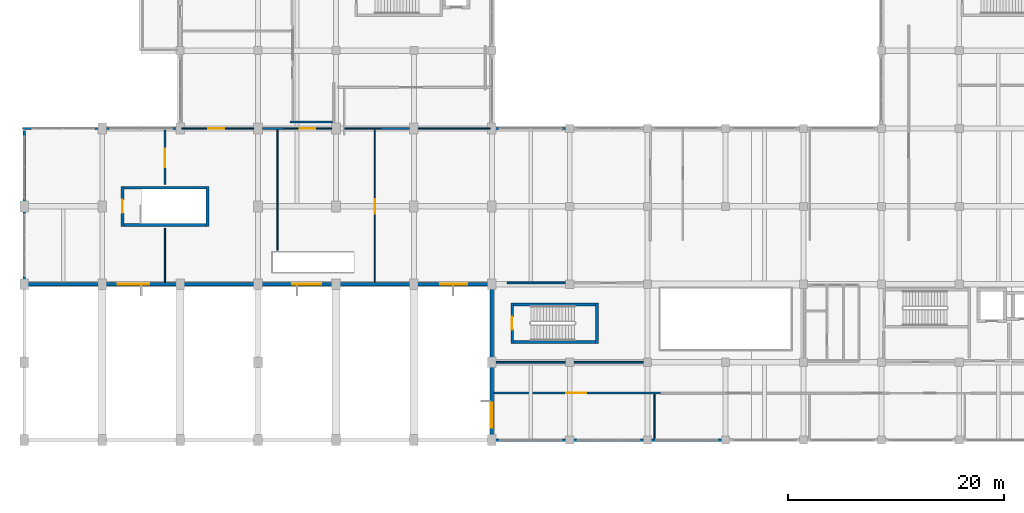
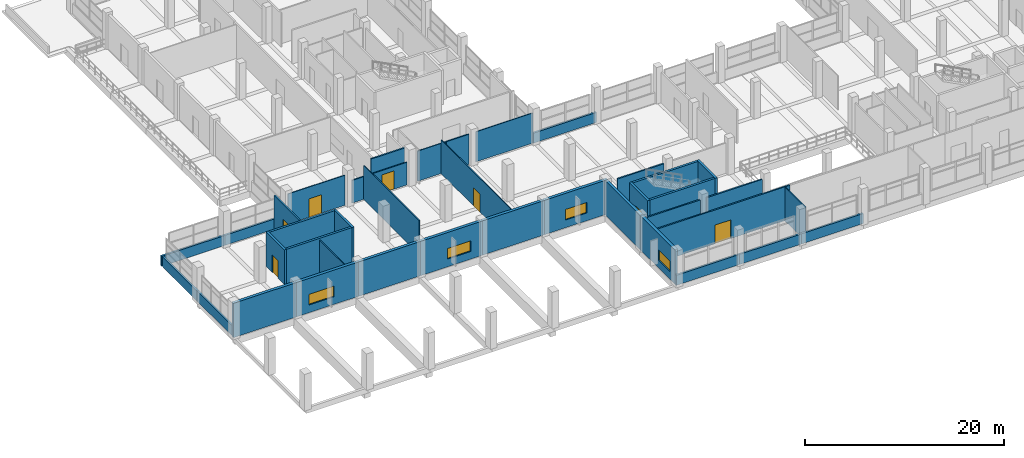
# One storey, part 126 of 141: 40 walls, 7 doors, 4 windows, 11 openings.
"""IFC4 building model written with IfcOpenShell, lengths in metres."""

from ifc_helpers import new_model, si_unit, direction, frame, frame_2d, origin, place, context, subcontext, project, spatial, rectangle, extrude, material, layer, layer_set, type_object, element, fill, save


model = new_model("IFC4")

# Units and contexts
model_context = context("Model", 3, precision=1e-05, world=origin(), true_north=direction((0.0, 1.0)))
body_context = subcontext(model_context, "Body", "Model", "MODEL_VIEW")
ifc_project = project(units=[si_unit("LENGTHUNIT", "METRE"), si_unit("AREAUNIT", "SQUARE_METRE"), si_unit("VOLUMEUNIT", "CUBIC_METRE"), si_unit("PLANEANGLEUNIT", "RADIAN"), si_unit("MASSUNIT", "GRAM", prefix="KILO")], contexts=[model_context])

# Site, building, storey
site_placement = place(None, origin())
site = spatial("IfcSite", under=ifc_project, at=site_placement, CompositionType="ELEMENT")
building_placement = place(site_placement, origin())
building = spatial("IfcBuilding", under=site, at=building_placement, Name="Seraya Terrace Polytechnic", CompositionType="ELEMENT")
storey_placement = place(building_placement, frame((0.0, 0.0, 14.39990234375)))
storey = spatial("IfcBuildingStorey", under=building, at=storey_placement, Name="L03", CompositionType="ELEMENT", Elevation=14.39990234375)

# Walls
ifc_material_1 = material(Name="Precast concrete C40/50", Category="concrete")
ifc_layer_1 = layer(ifc_material_1, 0.219970703125, Name="EW-05")
ifc_layer_set_1 = layer_set([ifc_layer_1], Name="Precast concrete C40/50")
wall_type_1 = type_object("IfcWallType", Name="EW-05", PredefinedType="SOLIDWALL", material=ifc_layer_set_1)
wall_1_placement = place(storey_placement, frame((64.800048828125, 0.0, 0.0), z_axis=(0.0, 0.0, 1.0), x_axis=(-1.0, 0.0, 0.0)))
element("IfcWall", 1, at=wall_1_placement, inside=storey, type_object=wall_type_1, Name="Precast spandrel wall L03", PredefinedType="SOLIDWALL", context=body_context, shape_type="SweptSolid", body=[
    extrude(rectangle(XDim=7.199951171875, YDim=0.219970703125, at=frame_2d((3.60009765625, 0.0))), origin(), (0.0, 0.0, 1.0), 1.239990234375),
])
wall_2_placement = place(storey_placement, frame((57.60009765625, 0.0, 0.0), z_axis=(0.0, 0.0, 1.0), x_axis=(-1.0, 0.0, 0.0)))
element("IfcWall", 2, at=wall_2_placement, inside=storey, type_object=wall_type_1, Name="Precast spandrel wall L03", PredefinedType="SOLIDWALL", context=body_context, shape_type="SweptSolid", body=[
    extrude(rectangle(XDim=7.2001953125, YDim=0.219970703125, at=frame_2d((3.60009765625, 0.0))), origin(), (0.0, 0.0, 1.0), 1.239990234375),
])
wall_3_placement = place(storey_placement, frame((50.39990234375, 0.0, 0.0), z_axis=(0.0, 0.0, 1.0), x_axis=(-1.0, 0.0, 0.0)))
element("IfcWall", 3, at=wall_3_placement, inside=storey, type_object=wall_type_1, Name="Precast spandrel wall L03", PredefinedType="SOLIDWALL", context=body_context, shape_type="SweptSolid", body=[
    extrude(rectangle(XDim=7.349853515625, YDim=0.219970703125, at=frame_2d((3.6748046875, 0.0))), origin(), (0.0, 0.0, 1.0), 1.239990234375),
])
wall_4_placement = place(storey_placement, frame((0.0, 14.56591796875, 0.0), z_axis=(0.0, 0.0, 1.0), x_axis=(0.0, 1.0, 0.0)))
element("IfcWall", 4, at=wall_4_placement, inside=storey, type_object=wall_type_1, Name="Precast spandrel wall L03", PredefinedType="SOLIDWALL", context=body_context, shape_type="SweptSolid", body=[
    extrude(rectangle(XDim=7.0341796875, YDim=0.219970703125, at=frame_2d((3.51708984375, 0.0))), origin(), (0.0, 0.0, 1.0), 1.239990234375),
])
wall_5_placement = place(storey_placement, frame((0.0, 21.60009765625, 0.0), z_axis=(0.0, 0.0, 1.0), x_axis=(0.0, 1.0, 0.0)))
element("IfcWall", 5, at=wall_5_placement, inside=storey, type_object=wall_type_1, Name="Precast spandrel wall L03", PredefinedType="SOLIDWALL", context=body_context, shape_type="SweptSolid", body=[
    extrude(rectangle(XDim=7.033935546875, YDim=0.219970703125, at=frame_2d((3.51708984375, 0.0))), origin(), (0.0, 0.0, 1.0), 1.239990234375),
])
wall_6_placement = place(storey_placement, frame((-0.14990234375, 28.800048828125, 0.0), z_axis=(0.0, 0.0, 1.0), x_axis=(1.0, 0.0, 0.0)))
element("IfcWall", 6, at=wall_6_placement, inside=storey, type_object=wall_type_1, Name="Precast spandrel wall L03", PredefinedType="SOLIDWALL", context=body_context, shape_type="SweptSolid", body=[
    extrude(rectangle(XDim=7.349853515625, YDim=0.219970703125, at=frame_2d((3.6748046875, 0.0))), origin(), (0.0, 0.0, 1.0), 1.239990234375),
])
wall_7_placement = place(storey_placement, frame((7.199951171875, 28.800048828125, 0.0), z_axis=(0.0, 0.0, 1.0), x_axis=(1.0, 0.0, 0.0)))
element("IfcWall", 7, at=wall_7_placement, inside=storey, type_object=wall_type_1, Name="Precast spandrel wall L03", PredefinedType="SOLIDWALL", context=body_context, shape_type="SweptSolid", body=[
    extrude(rectangle(XDim=7.35009765625, YDim=0.219970703125, at=frame_2d((3.675048828125, 0.0))), origin(), (0.0, 0.0, 1.0), 1.239990234375),
])
wall_8_placement = place(storey_placement, frame((43.050048828125, 28.800048828125, 0.0), z_axis=(0.0, 0.0, 1.0), x_axis=(1.0, 0.0, 0.0)))
element("IfcWall", 8, at=wall_8_placement, inside=storey, type_object=wall_type_1, Name="Precast spandrel wall L03", PredefinedType="SOLIDWALL", context=body_context, shape_type="SweptSolid", body=[
    extrude(rectangle(XDim=7.349853515625, YDim=0.219970703125, at=frame_2d((3.6748046875, 0.0))), origin(), (0.0, 0.0, 1.0), 1.239990234375),
])

# Wall, opening, window
ifc_material_2 = material(Name="Concrete C40/50", Category="concrete")
ifc_layer_2 = layer(ifc_material_2, 0.330078125, Name="EW-06")
ifc_layer_set_2 = layer_set([ifc_layer_2], Name="Concrete C40/50")
wall_type_2 = type_object("IfcWallType", Name="EW-06", PredefinedType="SOLIDWALL", material=ifc_layer_set_2)
wall_9_placement = place(storey_placement, frame((43.199951171875, 0.166015625, 0.0), z_axis=(0.0, 0.0, 1.0), x_axis=(0.0, 1.0, 0.0)))
wall_9 = element("IfcWall", 9, at=wall_9_placement, inside=storey, type_object=wall_type_2, Name="Exterior structural wall EW-06 L03", PredefinedType="SOLIDWALL", context=body_context, shape_type="SweptSolid", body=[
    extrude(rectangle(XDim=7.033935546875, YDim=0.330078125, at=frame_2d((3.51708984375, 0.0))), origin(), (0.0, 0.0, 1.0), 4.22021484375),
])
opening_1_placement = place(wall_9_placement, frame((0.98388671875, 0.0, 0.949951171875)))
opening_1 = element("IfcOpeningElement", 10, at=opening_1_placement, cuts=wall_9, Name="Opening WN-09", PredefinedType="OPENING", context=body_context, shape_type="SweptSolid", body=[
    extrude(rectangle(XDim=2.300048828125, YDim=1.300048828125, at=frame_2d((1.14990234375, 0.64990234375))), frame((0.0, 0.177001953125, 0.0), z_axis=(0.0, -1.0, 0.0), x_axis=(1.0, 0.0, 0.0)), (0.0, 0.0, 1.0), 0.35400390625),
])
ifc_material_3 = material(Name="Laminated solar-control Low-E double glazing", Category="glass")
window_type_1 = type_object("IfcWindowType", Name="WN-09", PartitioningType="SINGLE_PANEL", PredefinedType="WINDOW", material=ifc_material_3)
window_1_placement = place(opening_1_placement, origin())
window_1 = element("IfcWindow", 11, at=window_1_placement, inside=storey, type_object=window_type_1, Name="Exterior window WN-09 L03", OverallHeight=1.300048828125, OverallWidth=2.300048828125, PartitioningType="SINGLE_PANEL", PredefinedType="WINDOW", context=body_context, shape_type="SweptSolid", body=[
    extrude(rectangle(XDim=2.300048828125, YDim=1.300048828125, at=frame_2d((1.14990234375, 0.64990234375))), frame((0.0, 0.030029296875, 0.0), z_axis=(0.0, -1.0, 0.0), x_axis=(1.0, 0.0, 0.0)), (0.0, 0.0, 1.0), 0.06005859375),
])
fill(opening_1, window_1)

# Wall
wall_10_placement = place(storey_placement, frame((43.199951171875, 7.199951171875, 0.0), z_axis=(0.0, 0.0, 1.0), x_axis=(0.0, 1.0, 0.0)))
element("IfcWall", 12, at=wall_10_placement, inside=storey, type_object=wall_type_2, Name="Exterior structural wall EW-06 L03", PredefinedType="SOLIDWALL", context=body_context, shape_type="SweptSolid", body=[
    extrude(rectangle(XDim=7.033935546875, YDim=0.330078125, at=frame_2d((3.51708984375, 0.0))), origin(), (0.0, 0.0, 1.0), 4.22021484375),
])

# Wall, opening, window
wall_11_placement = place(storey_placement, frame((43.35009765625, 14.39990234375, 0.0), z_axis=(0.0, 0.0, 1.0), x_axis=(-1.0, 0.0, 0.0)))
wall_11 = element("IfcWall", 13, at=wall_11_placement, inside=storey, type_object=wall_type_2, Name="Exterior structural wall EW-06 L03", PredefinedType="SOLIDWALL", context=body_context, shape_type="SweptSolid", body=[
    extrude(rectangle(XDim=7.35009765625, YDim=0.330078125, at=frame_2d((3.675048828125, 0.0))), origin(), (0.0, 0.0, 1.0), 4.22021484375),
])
opening_2_placement = place(wall_11_placement, frame((2.425048828125, 0.0, 0.949951171875)))
opening_2 = element("IfcOpeningElement", 14, at=opening_2_placement, cuts=wall_11, Name="Opening WN-10", PredefinedType="OPENING", context=body_context, shape_type="SweptSolid", body=[
    extrude(rectangle(XDim=2.5, YDim=1.300048828125, at=frame_2d((1.25, 0.64990234375))), frame((0.0, 0.177001953125, 0.0), z_axis=(0.0, -1.0, 0.0), x_axis=(1.0, 0.0, 0.0)), (0.0, 0.0, 1.0), 0.35400390625),
])
window_type_2 = type_object("IfcWindowType", Name="WN-10", PartitioningType="SINGLE_PANEL", PredefinedType="WINDOW", material=ifc_material_3)
window_2_placement = place(opening_2_placement, origin())
window_2 = element("IfcWindow", 15, at=window_2_placement, inside=storey, type_object=window_type_2, Name="Exterior window WN-10 L03", OverallHeight=1.300048828125, OverallWidth=2.5, PartitioningType="SINGLE_PANEL", PredefinedType="WINDOW", context=body_context, shape_type="SweptSolid", body=[
    extrude(rectangle(XDim=2.5, YDim=1.300048828125, at=frame_2d((1.25, 0.64990234375))), frame((0.0, 0.030029296875, 0.0), z_axis=(0.0, -1.0, 0.0), x_axis=(1.0, 0.0, 0.0)), (0.0, 0.0, 1.0), 0.06005859375),
])
fill(opening_2, window_2)

# Wall
wall_12_placement = place(storey_placement, frame((36.0, 14.39990234375, 0.0), z_axis=(0.0, 0.0, 1.0), x_axis=(-1.0, 0.0, 0.0)))
element("IfcWall", 16, at=wall_12_placement, inside=storey, type_object=wall_type_2, Name="Exterior structural wall EW-06 L03", PredefinedType="SOLIDWALL", context=body_context, shape_type="SweptSolid", body=[
    extrude(rectangle(XDim=7.199951171875, YDim=0.330078125, at=frame_2d((3.60009765625, 0.0))), origin(), (0.0, 0.0, 1.0), 4.22021484375),
])

# Wall, opening, window
wall_13_placement = place(storey_placement, frame((28.800048828125, 14.39990234375, 0.0), z_axis=(0.0, 0.0, 1.0), x_axis=(-1.0, 0.0, 0.0)))
wall_13 = element("IfcWall", 17, at=wall_13_placement, inside=storey, type_object=wall_type_2, Name="Exterior structural wall EW-06 L03", PredefinedType="SOLIDWALL", context=body_context, shape_type="SweptSolid", body=[
    extrude(rectangle(XDim=7.199951171875, YDim=0.330078125, at=frame_2d((3.60009765625, 0.0))), origin(), (0.0, 0.0, 1.0), 4.22021484375),
])
opening_3_placement = place(wall_13_placement, frame((1.360107421875, 0.0, 0.949951171875)))
opening_3 = element("IfcOpeningElement", 18, at=opening_3_placement, cuts=wall_13, Name="Opening WN-11", PredefinedType="OPENING", context=body_context, shape_type="SweptSolid", body=[
    extrude(rectangle(XDim=2.699951171875, YDim=1.300048828125, at=frame_2d((1.35009765625, 0.64990234375))), frame((0.0, 0.177001953125, 0.0), z_axis=(0.0, -1.0, 0.0), x_axis=(1.0, 0.0, 0.0)), (0.0, 0.0, 1.0), 0.35400390625),
])
window_type_3 = type_object("IfcWindowType", Name="WN-11", PartitioningType="SINGLE_PANEL", PredefinedType="WINDOW", material=ifc_material_3)
window_3_placement = place(opening_3_placement, origin())
window_3 = element("IfcWindow", 19, at=window_3_placement, inside=storey, type_object=window_type_3, Name="Exterior window WN-11 L03", OverallHeight=1.300048828125, OverallWidth=2.699951171875, PartitioningType="SINGLE_PANEL", PredefinedType="WINDOW", context=body_context, shape_type="SweptSolid", body=[
    extrude(rectangle(XDim=2.699951171875, YDim=1.300048828125, at=frame_2d((1.35009765625, 0.64990234375))), frame((0.0, 0.030029296875, 0.0), z_axis=(0.0, -1.0, 0.0), x_axis=(1.0, 0.0, 0.0)), (0.0, 0.0, 1.0), 0.06005859375),
])
fill(opening_3, window_3)

# Wall
wall_14_placement = place(storey_placement, frame((21.60009765625, 14.39990234375, 0.0), z_axis=(0.0, 0.0, 1.0), x_axis=(-1.0, 0.0, 0.0)))
element("IfcWall", 20, at=wall_14_placement, inside=storey, type_object=wall_type_2, Name="Exterior structural wall EW-06 L03", PredefinedType="SOLIDWALL", context=body_context, shape_type="SweptSolid", body=[
    extrude(rectangle(XDim=7.2001953125, YDim=0.330078125, at=frame_2d((3.60009765625, 0.0))), origin(), (0.0, 0.0, 1.0), 4.22021484375),
])

# Wall, opening, window
wall_15_placement = place(storey_placement, frame((14.39990234375, 14.39990234375, 0.0), z_axis=(0.0, 0.0, 1.0), x_axis=(-1.0, 0.0, 0.0)))
wall_15 = element("IfcWall", 21, at=wall_15_placement, inside=storey, type_object=wall_type_2, Name="Exterior structural wall EW-06 L03", PredefinedType="SOLIDWALL", context=body_context, shape_type="SweptSolid", body=[
    extrude(rectangle(XDim=7.199951171875, YDim=0.330078125, at=frame_2d((3.60009765625, 0.0))), origin(), (0.0, 0.0, 1.0), 4.22021484375),
])
opening_4_placement = place(wall_15_placement, frame((2.8701171875, 0.0, 0.949951171875)))
opening_4 = element("IfcOpeningElement", 22, at=opening_4_placement, cuts=wall_15, Name="Opening WN-12", PredefinedType="OPENING", context=body_context, shape_type="SweptSolid", body=[
    extrude(rectangle(XDim=2.89990234375, YDim=1.300048828125, at=frame_2d((1.449951171875, 0.64990234375))), frame((0.0, 0.177001953125, 0.0), z_axis=(0.0, -1.0, 0.0), x_axis=(1.0, 0.0, 0.0)), (0.0, 0.0, 1.0), 0.35400390625),
])
window_type_4 = type_object("IfcWindowType", Name="WN-12", PartitioningType="SINGLE_PANEL", PredefinedType="WINDOW", material=ifc_material_3)
window_4_placement = place(opening_4_placement, origin())
window_4 = element("IfcWindow", 23, at=window_4_placement, inside=storey, type_object=window_type_4, Name="Exterior window WN-12 L03", OverallHeight=1.300048828125, OverallWidth=2.89990234375, PartitioningType="SINGLE_PANEL", PredefinedType="WINDOW", context=body_context, shape_type="SweptSolid", body=[
    extrude(rectangle(XDim=2.89990234375, YDim=1.300048828125, at=frame_2d((1.449951171875, 0.64990234375))), frame((0.0, 0.030029296875, 0.0), z_axis=(0.0, -1.0, 0.0), x_axis=(1.0, 0.0, 0.0)), (0.0, 0.0, 1.0), 0.06005859375),
])
fill(opening_4, window_4)

# Walls
wall_16_placement = place(storey_placement, frame((7.199951171875, 14.39990234375, 0.0), z_axis=(0.0, 0.0, 1.0), x_axis=(-1.0, 0.0, 0.0)))
element("IfcWall", 24, at=wall_16_placement, inside=storey, type_object=wall_type_2, Name="Exterior structural wall EW-06 L03", PredefinedType="SOLIDWALL", context=body_context, shape_type="SweptSolid", body=[
    extrude(rectangle(XDim=7.349853515625, YDim=0.330078125, at=frame_2d((3.6748046875, 0.0))), origin(), (0.0, 0.0, 1.0), 4.22021484375),
])
ifc_material_4 = material(Name="Autoclaved aerated concrete blockwork", Category="masonry")
ifc_layer_3 = layer(ifc_material_4, 0.169921875, Name="PT-02")
ifc_layer_set_3 = layer_set([ifc_layer_3], Name="Autoclaved aerated concrete blockwork")
wall_type_3 = type_object("IfcWallType", Name="PT-02", PredefinedType="PARTITIONING", material=ifc_layer_set_3)
wall_17_placement = place(storey_placement, frame((44.6298828125, 14.530029296875, 0.0), z_axis=(0.0, 0.0, 1.0), x_axis=(1.0, 0.0, 0.0)))
element("IfcWall", 25, at=wall_17_placement, inside=storey, type_object=wall_type_3, Name="Internal partition PT-02 L03", PredefinedType="PARTITIONING", context=body_context, shape_type="SweptSolid", body=[
    extrude(rectangle(XDim=5.385009765625, YDim=0.169921875, at=frame_2d((2.6923828125, 0.0))), origin(), (0.0, 0.0, 1.0), 3.7001953125),
])

# Wall, opening, door
wall_18_placement = place(storey_placement, frame((43.376953125, 4.35400390625, 0.0), z_axis=(0.0, 0.0, 1.0), x_axis=(1.0, 0.0, 0.0)))
wall_18 = element("IfcWall", 26, at=wall_18_placement, inside=storey, type_object=wall_type_3, Name="Internal partition PT-02 L03", PredefinedType="PARTITIONING", context=body_context, shape_type="SweptSolid", body=[
    extrude(rectangle(XDim=15.41455078125, YDim=0.169921875, at=frame_2d((7.707275390625, 0.0))), origin(), (0.0, 0.0, 1.0), 4.16015625),
])
opening_5_placement = place(wall_18_placement, frame((6.703125, 0.0, 0.0)))
opening_5 = element("IfcOpeningElement", 27, at=opening_5_placement, cuts=wall_18, Name="Opening ID-15", PredefinedType="OPENING", context=body_context, shape_type="SweptSolid", body=[
    extrude(rectangle(XDim=1.840087890625, YDim=2.300048828125, at=frame_2d((0.919921875, 1.14990234375))), frame((0.0, 0.096923828125, 0.0), z_axis=(0.0, -1.0, 0.0), x_axis=(1.0, 0.0, 0.0)), (0.0, 0.0, 1.0), 0.19384765625),
])
ifc_material_5 = material(Name="Malaysian dark red meranti hardwood timber D40", Category="wood")
door_type_1 = type_object("IfcDoorType", Name="ID-15", OperationType="DOUBLE_DOOR_SINGLE_SWING", PredefinedType="DOOR", material=ifc_material_5)
door_1_placement = place(opening_5_placement, origin())
door_1 = element("IfcDoor", 28, at=door_1_placement, inside=storey, type_object=door_type_1, Name="Door ID-15 DR-INT-L03-0188 in WL-INT-L03-0564", OperationType="DOUBLE_DOOR_SINGLE_SWING", OverallHeight=2.300048828125, OverallWidth=1.840087890625, PredefinedType="DOOR", context=body_context, shape_type="SweptSolid", body=[
    extrude(rectangle(XDim=1.840087890625, YDim=2.300048828125, at=frame_2d((0.919921875, 1.14990234375))), frame((0.0, 0.02490234375, 0.0), z_axis=(0.0, -1.0, 0.0), x_axis=(1.0, 0.0, 0.0)), (0.0, 0.0, 1.0), 0.050048828125),
])
fill(opening_5, door_1)

# Walls
wall_19_placement = place(storey_placement, frame((50.784912109375, 7.19580078125, 0.0), z_axis=(0.0, 0.0, 1.0), x_axis=(1.0, 0.0, 0.0)))
element("IfcWall", 29, at=wall_19_placement, inside=storey, type_object=wall_type_3, Name="Internal partition PT-02 L03", PredefinedType="PARTITIONING", context=body_context, shape_type="SweptSolid", body=[
    extrude(rectangle(XDim=6.43017578125, YDim=0.169921875, at=frame_2d((3.215087890625, 0.0))), origin(), (0.0, 0.0, 1.0), 3.7001953125),
])
wall_20_placement = place(storey_placement, frame((43.376953125, 7.19580078125, 0.0), z_axis=(0.0, 0.0, 1.0), x_axis=(1.0, 0.0, 0.0)))
element("IfcWall", 30, at=wall_20_placement, inside=storey, type_object=wall_type_3, Name="Internal partition PT-02 L03", PredefinedType="PARTITIONING", context=body_context, shape_type="SweptSolid", body=[
    extrude(rectangle(XDim=6.637939453125, YDim=0.169921875, at=frame_2d((3.31884765625, 0.0))), origin(), (0.0, 0.0, 1.0), 3.7001953125),
])
wall_21_placement = place(storey_placement, frame((24.56005859375, 29.39990234375, 0.0), z_axis=(0.0, 0.0, 1.0), x_axis=(1.0, 0.0, 0.0)))
element("IfcWall", 31, at=wall_21_placement, inside=storey, type_object=wall_type_3, Name="Internal partition PT-02 L03", PredefinedType="PARTITIONING", context=body_context, shape_type="SweptSolid", body=[
    extrude(rectangle(XDim=3.93994140625, YDim=0.169921875, at=frame_2d((1.969970703125, 0.0))), origin(), (0.0, 0.0, 1.0), 4.16015625),
])
ifc_layer_4 = layer(ifc_material_4, 0.14990234375, Name="PT-03")
ifc_layer_set_4 = layer_set([ifc_layer_4], Name="Autoclaved aerated concrete blockwork")
wall_type_4 = type_object("IfcWallType", Name="PT-03", PredefinedType="PARTITIONING", material=ifc_layer_set_4)
wall_22_placement = place(storey_placement, frame((22.010009765625, 28.800048828125, 0.0), z_axis=(0.0, 0.0, 1.0), x_axis=(1.0, 0.0, 0.0)))
element("IfcWall", 32, at=wall_22_placement, inside=storey, type_object=wall_type_4, Name="Internal partition PT-03 L03", PredefinedType="PARTITIONING", context=body_context, shape_type="SweptSolid", body=[
    extrude(rectangle(XDim=1.949951171875, YDim=0.14990234375, at=frame_2d((0.97509765625, 0.0))), origin(), (0.0, 0.0, 1.0), 2.780029296875),
])
wall_23_placement = place(storey_placement, frame((32.9599609375, 28.800048828125, 0.0), z_axis=(0.0, 0.0, 1.0), x_axis=(1.0, 0.0, 0.0)))
element("IfcWall", 33, at=wall_23_placement, inside=storey, type_object=wall_type_4, Name="Internal partition PT-03 L03", PredefinedType="PARTITIONING", context=body_context, shape_type="SweptSolid", body=[
    extrude(rectangle(XDim=2.630126953125, YDim=0.14990234375, at=frame_2d((1.31494140625, 0.0))), origin(), (0.0, 0.0, 1.0), 3.7001953125),
])

# Wall, opening, door
wall_24_placement = place(storey_placement, frame((13.0, 23.6298828125, 0.0), z_axis=(0.0, 0.0, 1.0), x_axis=(0.0, 1.0, 0.0)))
wall_24 = element("IfcWall", 34, at=wall_24_placement, inside=storey, type_object=wall_type_4, Name="Internal partition PT-03 L03", PredefinedType="PARTITIONING", context=body_context, shape_type="SweptSolid", body=[
    extrude(rectangle(XDim=5.048095703125, YDim=0.14990234375, at=frame_2d((2.52392578125, 0.0))), origin(), (0.0, 0.0, 1.0), 4.16015625),
])
opening_6_placement = place(wall_24_placement, frame((1.60009765625, 0.0, 0.0)))
opening_6 = element("IfcOpeningElement", 35, at=opening_6_placement, cuts=wall_24, Name="Opening ID-13", PredefinedType="OPENING", context=body_context, shape_type="SweptSolid", body=[
    extrude(rectangle(XDim=1.679931640625, YDim=2.280029296875, at=frame_2d((0.83984375, 1.14013671875))), frame((0.0, 0.0869140625, 0.0), z_axis=(0.0, -1.0, 0.0), x_axis=(1.0, 0.0, 0.0)), (0.0, 0.0, 1.0), 0.173828125),
])
door_type_2 = type_object("IfcDoorType", Name="ID-13", OperationType="DOUBLE_DOOR_SINGLE_SWING", PredefinedType="DOOR", material=ifc_material_5)
door_2_placement = place(opening_6_placement, origin())
door_2 = element("IfcDoor", 36, at=door_2_placement, inside=storey, type_object=door_type_2, Name="Door ID-13 DR-INT-L03-0202 in WL-INT-L03-0625", OperationType="DOUBLE_DOOR_SINGLE_SWING", OverallHeight=2.280029296875, OverallWidth=1.679931640625, PredefinedType="DOOR", context=body_context, shape_type="SweptSolid", body=[
    extrude(rectangle(XDim=1.679931640625, YDim=2.280029296875, at=frame_2d((0.83984375, 1.14013671875))), frame((0.0, 0.02490234375, 0.0), z_axis=(0.0, -1.0, 0.0), x_axis=(1.0, 0.0, 0.0)), (0.0, 0.0, 1.0), 0.050048828125),
])
fill(opening_6, door_2)

ifc_layer_5 = layer(ifc_material_4, 0.1201171875, Name="PT-05")
ifc_layer_set_5 = layer_set([ifc_layer_5], Name="Autoclaved aerated concrete blockwork")
wall_type_5 = type_object("IfcWallType", Name="PT-05", PredefinedType="PARTITIONING", material=ifc_layer_set_5)
wall_25_placement = place(storey_placement, frame((23.9599609375, 28.800048828125, 0.0), z_axis=(0.0, 0.0, 1.0), x_axis=(1.0, 0.0, 0.0)))
wall_25 = element("IfcWall", 37, at=wall_25_placement, inside=storey, type_object=wall_type_5, Name="Internal partition PT-05 L03", PredefinedType="PARTITIONING", context=body_context, shape_type="SweptSolid", body=[
    extrude(rectangle(XDim=4.429931640625, YDim=0.1201171875, at=frame_2d((2.21484375, 0.0))), origin(), (0.0, 0.0, 1.0), 2.780029296875),
])
opening_7_placement = place(wall_25_placement, frame((1.5048828125, 0.0, 0.0)))
opening_7 = element("IfcOpeningElement", 38, at=opening_7_placement, cuts=wall_25, Name="Opening ID-10", PredefinedType="OPENING", context=body_context, shape_type="SweptSolid", body=[
    extrude(rectangle(XDim=1.419921875, YDim=2.239990234375, at=frame_2d((0.7099609375, 1.1201171875))), frame((0.0, 0.072021484375, 0.0), z_axis=(0.0, -1.0, 0.0), x_axis=(1.0, 0.0, 0.0)), (0.0, 0.0, 1.0), 0.14404296875),
])
door_type_3 = type_object("IfcDoorType", Name="ID-10", OperationType="DOUBLE_DOOR_SINGLE_SWING", PredefinedType="DOOR", material=ifc_material_5)
door_3_placement = place(opening_7_placement, frame((1.419921875, 0.0, 0.0), z_axis=(0.0, 0.0, 1.0), x_axis=(-1.0, 0.0, 0.0)))
door_3 = element("IfcDoor", 39, at=door_3_placement, inside=storey, type_object=door_type_3, Name="Door ID-10 DR-INT-L03-0215 in WL-INT-L03-0599", OperationType="DOUBLE_DOOR_SINGLE_SWING", OverallHeight=2.239990234375, OverallWidth=1.419921875, PredefinedType="DOOR", context=body_context, shape_type="SweptSolid", body=[
    extrude(rectangle(XDim=1.419921875, YDim=2.239990234375, at=frame_2d((0.7099609375, 1.1201171875))), frame((0.0, 0.02490234375, 0.0), z_axis=(0.0, -1.0, 0.0), x_axis=(1.0, 0.0, 0.0)), (0.0, 0.0, 1.0), 0.050048828125),
])
fill(opening_7, door_3)

# Walls
wall_26_placement = place(storey_placement, frame((29.632080078125, 28.800048828125, 0.0), z_axis=(0.0, 0.0, 1.0), x_axis=(1.0, 0.0, 0.0)))
element("IfcWall", 40, at=wall_26_placement, inside=storey, type_object=wall_type_5, Name="Internal partition PT-05 L03", PredefinedType="PARTITIONING", context=body_context, shape_type="SweptSolid", body=[
    extrude(rectangle(XDim=3.327880859375, YDim=0.1201171875, at=frame_2d((1.6640625, 0.0))), origin(), (0.0, 0.0, 1.0), 3.7001953125),
])
wall_27_placement = place(storey_placement, frame((23.39990234375, 17.530029296875, 0.0), z_axis=(0.0, 0.0, 1.0), x_axis=(0.0, 1.0, 0.0)))
element("IfcWall", 41, at=wall_27_placement, inside=storey, type_object=wall_type_5, Name="Internal partition PT-05 L03", PredefinedType="PARTITIONING", context=body_context, shape_type="SweptSolid", body=[
    extrude(rectangle(XDim=11.179931640625, YDim=0.1201171875, at=frame_2d((5.58984375, 0.0))), origin(), (0.0, 0.0, 1.0), 4.16015625),
])

# Wall, opening, door
ifc_layer_6 = layer(ifc_material_4, 0.10009765625, Name="PT-06")
ifc_layer_set_6 = layer_set([ifc_layer_6], Name="Autoclaved aerated concrete blockwork")
wall_type_6 = type_object("IfcWallType", Name="PT-06", PredefinedType="PARTITIONING", material=ifc_layer_set_6)
wall_28_placement = place(storey_placement, frame((14.56201171875, 28.800048828125, 0.0), z_axis=(0.0, 0.0, 1.0), x_axis=(1.0, 0.0, 0.0)))
wall_28 = element("IfcWall", 42, at=wall_28_placement, inside=storey, type_object=wall_type_6, Name="Internal partition PT-06 L03", PredefinedType="PARTITIONING", context=body_context, shape_type="SweptSolid", body=[
    extrude(rectangle(XDim=6.6279296875, YDim=0.10009765625, at=frame_2d((3.31396484375, 0.0))), origin(), (0.0, 0.0, 1.0), 3.7001953125),
])
opening_8_placement = place(wall_28_placement, frame((2.43505859375, 0.0, 0.0)))
opening_8 = element("IfcOpeningElement", 43, at=opening_8_placement, cuts=wall_28, Name="Opening ID-11", PredefinedType="OPENING", context=body_context, shape_type="SweptSolid", body=[
    extrude(rectangle(XDim=1.47998046875, YDim=2.260009765625, at=frame_2d((0.739990234375, 1.1298828125))), frame((0.0, 0.06201171875, 0.0), z_axis=(0.0, -1.0, 0.0), x_axis=(1.0, 0.0, 0.0)), (0.0, 0.0, 1.0), 0.1240234375),
])
door_type_4 = type_object("IfcDoorType", Name="ID-11", OperationType="DOUBLE_DOOR_SINGLE_SWING", PredefinedType="DOOR", material=ifc_material_5)
door_4_placement = place(opening_8_placement, origin())
door_4 = element("IfcDoor", 44, at=door_4_placement, inside=storey, type_object=door_type_4, Name="Door ID-11 DR-INT-L03-0200 in WL-INT-L03-0597", OperationType="DOUBLE_DOOR_SINGLE_SWING", OverallHeight=2.260009765625, OverallWidth=1.47998046875, PredefinedType="DOOR", context=body_context, shape_type="SweptSolid", body=[
    extrude(rectangle(XDim=1.47998046875, YDim=2.260009765625, at=frame_2d((0.739990234375, 1.1298828125))), frame((0.0, 0.02490234375, 0.0), z_axis=(0.0, -1.0, 0.0), x_axis=(1.0, 0.0, 0.0)), (0.0, 0.0, 1.0), 0.050048828125),
])
fill(opening_8, door_4)

# Walls
wall_29_placement = place(storey_placement, frame((36.409912109375, 28.800048828125, 0.0), z_axis=(0.0, 0.0, 1.0), x_axis=(1.0, 0.0, 0.0)))
element("IfcWall", 45, at=wall_29_placement, inside=storey, type_object=wall_type_6, Name="Internal partition PT-06 L03", PredefinedType="PARTITIONING", context=body_context, shape_type="SweptSolid", body=[
    extrude(rectangle(XDim=6.628173828125, YDim=0.10009765625, at=frame_2d((3.31396484375, 0.0))), origin(), (0.0, 0.0, 1.0), 3.7001953125),
])
wall_30_placement = place(storey_placement, frame((58.2314453125, 0.1220703125, 0.0), z_axis=(0.0, 0.0, 1.0), x_axis=(0.0, 1.0, 0.0)))
element("IfcWall", 46, at=wall_30_placement, inside=storey, type_object=wall_type_6, Name="Internal partition PT-06 L03", PredefinedType="PARTITIONING", context=body_context, shape_type="SweptSolid", body=[
    extrude(rectangle(XDim=4.132080078125, YDim=0.10009765625, at=frame_2d((2.06591796875, 0.0))), origin(), (0.0, 0.0, 1.0), 4.16015625),
])
wall_31_placement = place(storey_placement, frame((13.0, 14.576904296875, 0.0), z_axis=(0.0, 0.0, 1.0), x_axis=(0.0, 1.0, 0.0)))
element("IfcWall", 47, at=wall_31_placement, inside=storey, type_object=wall_type_6, Name="Internal partition PT-06 L03", PredefinedType="PARTITIONING", context=body_context, shape_type="SweptSolid", body=[
    extrude(rectangle(XDim=4.9931640625, YDim=0.10009765625, at=frame_2d((2.49658203125, 0.0))), origin(), (0.0, 0.0, 1.0), 4.16015625),
])

# Wall, opening, door
wall_32_placement = place(storey_placement, frame((32.39990234375, 14.576904296875, 0.0), z_axis=(0.0, 0.0, 1.0), x_axis=(0.0, 1.0, 0.0)))
wall_32 = element("IfcWall", 48, at=wall_32_placement, inside=storey, type_object=wall_type_6, Name="Internal partition PT-06 L03", PredefinedType="PARTITIONING", context=body_context, shape_type="SweptSolid", body=[
    extrude(rectangle(XDim=14.148193359375, YDim=0.10009765625, at=frame_2d((7.07421875, 0.0))), origin(), (0.0, 0.0, 1.0), 4.16015625),
])
opening_9_placement = place(wall_32_placement, frame((6.320068359375, 0.0, 0.0)))
opening_9 = element("IfcOpeningElement", 49, at=opening_9_placement, cuts=wall_32, Name="Opening ID-09", PredefinedType="OPENING", context=body_context, shape_type="SweptSolid", body=[
    extrude(rectangle(XDim=1.340087890625, YDim=2.239990234375, at=frame_2d((0.669921875, 1.1201171875))), frame((0.0, 0.06201171875, 0.0), z_axis=(0.0, -1.0, 0.0), x_axis=(1.0, 0.0, 0.0)), (0.0, 0.0, 1.0), 0.1240234375),
])
door_type_5 = type_object("IfcDoorType", Name="ID-09", OperationType="NOTDEFINED", PredefinedType="DOOR", material=ifc_material_5)
door_5_placement = place(opening_9_placement, origin())
door_5 = element("IfcDoor", 50, at=door_5_placement, inside=storey, type_object=door_type_5, Name="Door ID-09 DR-INT-L03-0214 in WL-INT-L03-0627", OperationType="SINGLE_SWING_LEFT", OverallHeight=2.239990234375, OverallWidth=1.340087890625, PredefinedType="DOOR", context=body_context, shape_type="SweptSolid", body=[
    extrude(rectangle(XDim=1.340087890625, YDim=2.239990234375, at=frame_2d((0.669921875, 1.1201171875))), frame((0.0, 0.02490234375, 0.0), z_axis=(0.0, -1.0, 0.0), x_axis=(1.0, 0.0, 0.0)), (0.0, 0.0, 1.0), 0.050048828125),
])
fill(opening_9, door_5)

ifc_layer_7 = layer(ifc_material_2, 0.25, Name="SW-02")
ifc_layer_set_7 = layer_set([ifc_layer_7], Name="Concrete C40/50")
wall_type_7 = type_object("IfcWallType", Name="SW-02", PredefinedType="SHEAR", material=ifc_layer_set_7)
wall_33_placement = place(storey_placement, frame((45.074951171875, 8.949951171875, 0.0), z_axis=(0.0, 0.0, 1.0), x_axis=(0.0, 1.0, 0.0)))
wall_33 = element("IfcWall", 51, at=wall_33_placement, inside=storey, type_object=wall_type_7, Name="Stairwell ST-03 West wall L03", PredefinedType="SHEAR", context=body_context, shape_type="SweptSolid", body=[
    extrude(rectangle(XDim=3.699951171875, YDim=0.25, at=frame_2d((1.85009765625, 0.0))), origin(), (0.0, 0.0, 1.0), 4.25),
])
opening_10_placement = place(wall_33_placement, frame((1.25, 0.0, 0.0)))
opening_10 = element("IfcOpeningElement", 52, at=opening_10_placement, cuts=wall_33, Name="Opening FD-01", PredefinedType="OPENING", context=body_context, shape_type="SweptSolid", body=[
    extrude(rectangle(XDim=1.199951171875, YDim=2.14990234375, at=frame_2d((0.60009765625, 1.074951171875))), frame((0.0, 0.136962890625, 0.0), z_axis=(0.0, -1.0, 0.0), x_axis=(1.0, 0.0, 0.0)), (0.0, 0.0, 1.0), 0.27392578125),
])
ifc_material_6 = material(Name="Steel S355J2", Category="steel")
door_type_6 = type_object("IfcDoorType", Name="FD-01", OperationType="NOTDEFINED", PredefinedType="DOOR", material=ifc_material_6)
door_6_placement = place(opening_10_placement, frame((1.199951171875, 0.0, 0.0), z_axis=(0.0, 0.0, 1.0), x_axis=(-1.0, 0.0, 0.0)))
door_6 = element("IfcDoor", 53, at=door_6_placement, inside=storey, type_object=door_type_6, Name="Door FD-01 DR-STR-ST-03-L03 in WL-STR-ST-03-L03-W", OperationType="SINGLE_SWING_LEFT", OverallHeight=2.14990234375, OverallWidth=1.199951171875, PredefinedType="DOOR", context=body_context, shape_type="SweptSolid", body=[
    extrude(rectangle(XDim=1.199951171875, YDim=2.14990234375, at=frame_2d((0.60009765625, 1.074951171875))), frame((0.0, 0.02490234375, 0.0), z_axis=(0.0, -1.0, 0.0), x_axis=(1.0, 0.0, 0.0)), (0.0, 0.0, 1.0), 0.050048828125),
])
fill(opening_10, door_6)

# Walls
wall_34_placement = place(storey_placement, frame((52.925048828125, 8.949951171875, 0.0), z_axis=(0.0, 0.0, 1.0), x_axis=(0.0, 1.0, 0.0)))
element("IfcWall", 54, at=wall_34_placement, inside=storey, type_object=wall_type_7, Name="Stairwell ST-03 East wall L03", PredefinedType="SHEAR", context=body_context, shape_type="SweptSolid", body=[
    extrude(rectangle(XDim=3.699951171875, YDim=0.25, at=frame_2d((1.85009765625, 0.0))), origin(), (0.0, 0.0, 1.0), 4.25),
])
for number, where, z_axis, x_axis, name in (
    (55, (45.199951171875, 9.074951171875, 0.0), (0.0, 0.0, 1.0), (1.0, 0.0, 0.0), "Stairwell ST-03 South wall L03"),
    (56, (45.199951171875, 12.52490234375, 0.0), (0.0, 0.0, 1.0), (1.0, 0.0, 0.0), "Stairwell ST-03 North wall L03"),
):
    element("IfcWall", number, at=place(storey_placement, frame(where, z_axis=z_axis, x_axis=x_axis)), inside=storey, type_object=wall_type_7, Name=name, PredefinedType="SHEAR", context=body_context, shape_type="SweptSolid", body=[
        extrude(rectangle(XDim=7.60009765625, YDim=0.25, at=frame_2d((3.800048828125, 0.0))), origin(), (0.0, 0.0, 1.0), 4.25),
    ])

# Wall, opening, door
wall_35_placement = place(storey_placement, frame((9.074951171875, 19.75, 0.0), z_axis=(0.0, 0.0, 1.0), x_axis=(0.0, 1.0, 0.0)))
wall_35 = element("IfcWall", 57, at=wall_35_placement, inside=storey, type_object=wall_type_7, Name="Stairwell ST-09 West wall L03", PredefinedType="SHEAR", context=body_context, shape_type="SweptSolid", body=[
    extrude(rectangle(XDim=3.699951171875, YDim=0.25, at=frame_2d((1.85009765625, 0.0))), origin(), (0.0, 0.0, 1.0), 4.25),
])
opening_11_placement = place(wall_35_placement, frame((1.25, 0.0, 0.0)))
opening_11 = element("IfcOpeningElement", 58, at=opening_11_placement, cuts=wall_35, Name="Opening FD-01", PredefinedType="OPENING", context=body_context, shape_type="SweptSolid", body=[
    extrude(rectangle(XDim=1.199951171875, YDim=2.14990234375, at=frame_2d((0.60009765625, 1.074951171875))), frame((0.0, 0.136962890625, 0.0), z_axis=(0.0, -1.0, 0.0), x_axis=(1.0, 0.0, 0.0)), (0.0, 0.0, 1.0), 0.27392578125),
])
door_7_placement = place(opening_11_placement, frame((1.199951171875, 0.0, 0.0), z_axis=(0.0, 0.0, 1.0), x_axis=(-1.0, 0.0, 0.0)))
door_7 = element("IfcDoor", 59, at=door_7_placement, inside=storey, type_object=door_type_6, Name="Door FD-01 DR-STR-ST-09-L03 in WL-STR-ST-09-L03-W", OperationType="SINGLE_SWING_RIGHT", OverallHeight=2.14990234375, OverallWidth=1.199951171875, PredefinedType="DOOR", context=body_context, shape_type="SweptSolid", body=[
    extrude(rectangle(XDim=1.199951171875, YDim=2.14990234375, at=frame_2d((0.60009765625, 1.074951171875))), frame((0.0, 0.02490234375, 0.0), z_axis=(0.0, -1.0, 0.0), x_axis=(1.0, 0.0, 0.0)), (0.0, 0.0, 1.0), 0.050048828125),
])
fill(opening_11, door_7)

# Walls
wall_36_placement = place(storey_placement, frame((16.925048828125, 19.75, 0.0), z_axis=(0.0, 0.0, 1.0), x_axis=(0.0, 1.0, 0.0)))
element("IfcWall", 60, at=wall_36_placement, inside=storey, type_object=wall_type_7, Name="Stairwell ST-09 East wall L03", PredefinedType="SHEAR", context=body_context, shape_type="SweptSolid", body=[
    extrude(rectangle(XDim=3.699951171875, YDim=0.25, at=frame_2d((1.85009765625, 0.0))), origin(), (0.0, 0.0, 1.0), 4.25),
])
for number, where, z_axis, x_axis, name in (
    (61, (9.199951171875, 19.875, 0.0), (0.0, 0.0, 1.0), (1.0, 0.0, 0.0), "Stairwell ST-09 South wall L03"),
    (62, (9.199951171875, 23.324951171875, 0.0), (0.0, 0.0, 1.0), (1.0, 0.0, 0.0), "Stairwell ST-09 North wall L03"),
):
    element("IfcWall", number, at=place(storey_placement, frame(where, z_axis=z_axis, x_axis=x_axis)), inside=storey, type_object=wall_type_7, Name=name, PredefinedType="SHEAR", context=body_context, shape_type="SweptSolid", body=[
        extrude(rectangle(XDim=7.60009765625, YDim=0.25, at=frame_2d((3.800048828125, 0.0))), origin(), (0.0, 0.0, 1.0), 4.25),
    ])

save(model, "model.ifc")
